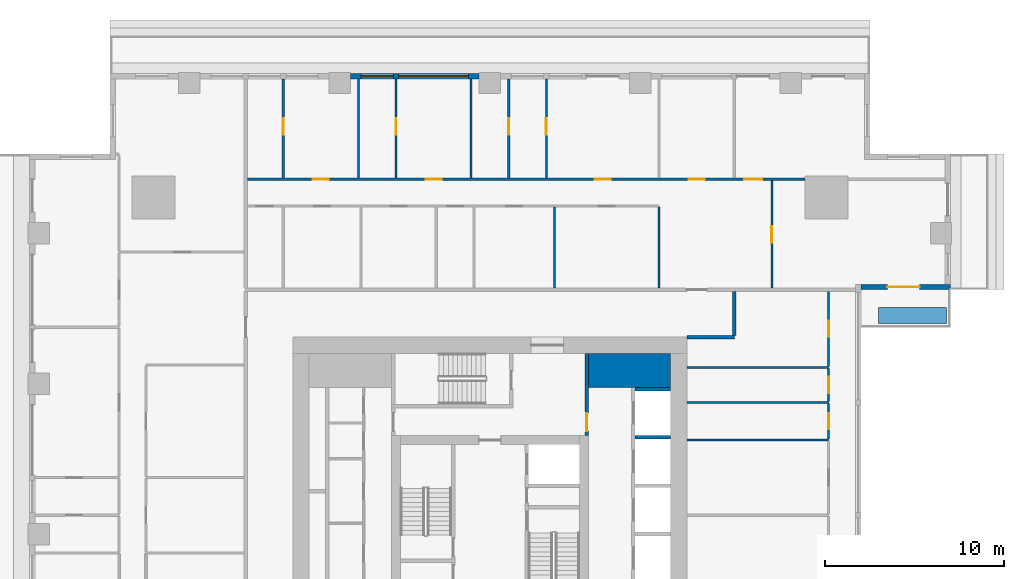
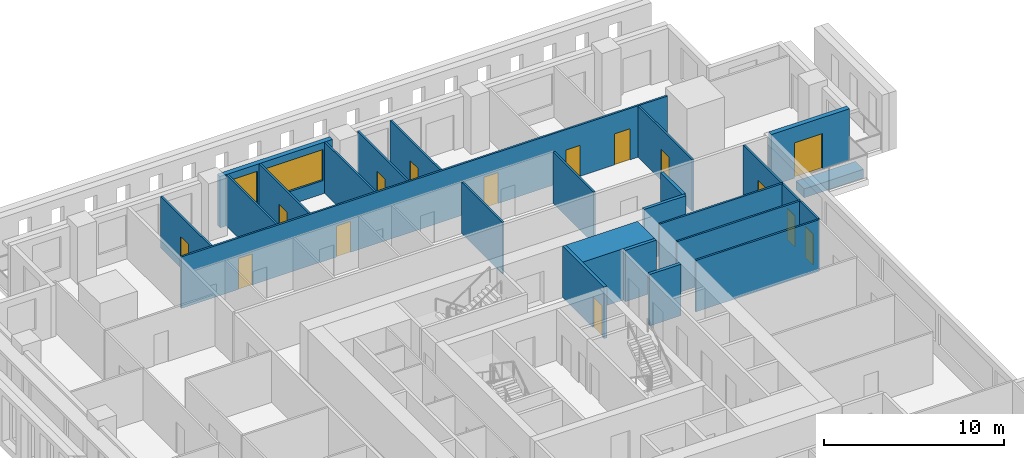
# One storey, part 8 of 15: 25 walls, 15 doors, 2 windows, 17 openings.
"""IFC4 building model written with IfcOpenShell, lengths in metres."""

from ifc_helpers import new_model, si_unit, direction, frame, frame_2d, origin, place, context, subcontext, project, spatial, rectangle, extrude, material, layer, layer_set, type_object, element, fill, save


model = new_model("IFC4")

# Units and contexts
model_context = context("Model", 3, precision=1e-05, world=origin(), true_north=direction((0.0, 1.0)))
body_context = subcontext(model_context, "Body", "Model", "MODEL_VIEW")
ifc_project = project(units=[si_unit("LENGTHUNIT", "METRE"), si_unit("AREAUNIT", "SQUARE_METRE"), si_unit("VOLUMEUNIT", "CUBIC_METRE"), si_unit("PLANEANGLEUNIT", "RADIAN"), si_unit("MASSUNIT", "GRAM", prefix="KILO")], contexts=[model_context])

# Site, building, storey
site_placement = place(None, origin())
site = spatial("IfcSite", under=ifc_project, at=site_placement, CompositionType="ELEMENT")
building_placement = place(site_placement, origin())
building = spatial("IfcBuilding", under=site, at=building_placement, Name="Khepri Terraces", CompositionType="ELEMENT")
storey_placement = place(building_placement, frame((0.0, 0.0, 227.39990234375)))
storey = spatial("IfcBuildingStorey", under=building, at=storey_placement, Name="L54", CompositionType="ELEMENT", Elevation=227.39990234375)

# Walls
ifc_material_1 = material(Name="Concrete C50/60", Category="concrete")
ifc_layer_1 = layer(ifc_material_1, 1.89990234375, Name="Concrete C50/60", Category="concrete")
ifc_layer_set_1 = layer_set([ifc_layer_1], Name="Concrete C50/60")
wall_type_1 = type_object("IfcWallType", Name="Core wall 1900 C50/60", PredefinedType="SHEAR", material=ifc_layer_set_1)
wall_1_placement = place(storey_placement, frame((5.5, 9.14990234375, 0.0), z_axis=(0.0, 0.0, 1.0), x_axis=(1.0, 0.0, 0.0)))
element("IfcWall", 1, at=wall_1_placement, inside=storey, type_object=wall_type_1, Name="Core wall PR04 L54", PredefinedType="SHEAR", context=body_context, shape_type="SweptSolid", body=[
    extrude(rectangle(XDim=4.60009765625, YDim=1.89990234375, at=frame_2d((2.300048828125, 0.0))), origin(), (0.0, 0.0, 1.0), 3.47998046875),
])
ifc_layer_2 = layer(ifc_material_1, 0.199951171875, Name="Concrete C50/60", Category="concrete")
ifc_layer_set_2 = layer_set([ifc_layer_2], Name="Concrete C50/60")
wall_type_2 = type_object("IfcWallType", Name="Core wall 200 C50/60", PredefinedType="SHEAR", material=ifc_layer_set_2)
for number, where, z_axis, x_axis, name in (
    (2, (8.10009765625, 5.39990234375, 0.0), (0.0, 0.0, 1.0), (1.0, 0.0, 0.0), "Core wall SH14 L54"),
    (3, (8.10009765625, 8.10009765625, 0.0), (0.0, 0.0, 1.0), (1.0, 0.0, 0.0), "Core wall SH15 L54"),
):
    element("IfcWall", number, at=place(storey_placement, frame(where, z_axis=z_axis, x_axis=x_axis)), inside=storey, type_object=wall_type_2, Name=name, PredefinedType="SHEAR", context=body_context, shape_type="SweptSolid", body=[
        extrude(rectangle(XDim=2.0, YDim=0.199951171875, at=frame_2d((1.0, 0.0))), origin(), (0.0, 0.0, 1.0), 3.47998046875),
    ])

# Wall, opening, door
ifc_material_2 = material(Name="Fire-rated gypsum board partition")
ifc_layer_3 = layer(ifc_material_2, 0.199951171875, Name="Fire-rated gypsum board partition")
ifc_layer_set_3 = layer_set([ifc_layer_3], Name="Fire-rated gypsum board partition")
wall_type_3 = type_object("IfcWallType", Name="WL-CORE-PART-200", PredefinedType="PARTITIONING", material=ifc_layer_set_3)
wall_2_placement = place(storey_placement, frame((5.39990234375, 5.5, 0.0), z_axis=(0.0, 0.0, 1.0), x_axis=(0.0, 1.0, 0.0)))
wall_2 = element("IfcWall", 4, at=wall_2_placement, inside=storey, type_object=wall_type_3, Name="Core partition PT13 L54", PredefinedType="PARTITIONING", context=body_context, shape_type="SweptSolid", body=[
    extrude(rectangle(XDim=4.60009765625, YDim=0.199951171875, at=frame_2d((2.300048828125, 0.0))), origin(), (0.0, 0.0, 1.0), 3.47998046875),
])
opening_1_placement = place(wall_2_placement, frame((0.25, 0.0, 0.0)))
opening_1 = element("IfcOpeningElement", 5, at=opening_1_placement, cuts=wall_2, Name="Opening L54-C17", PredefinedType="OPENING", context=body_context, shape_type="SweptSolid", body=[
    extrude(rectangle(XDim=1.0, YDim=2.10009765625, at=frame_2d((0.5, 1.050048828125))), frame((0.0, 0.10986328125, 0.0), z_axis=(0.0, -1.0, 0.0), x_axis=(1.0, 0.0, 0.0)), (0.0, 0.0, 1.0), 0.219970703125),
])
ifc_material_3 = material(Name="Painted steel", Category="steel")
door_type_1 = type_object("IfcDoorType", Name="DR-CORE-LOBBY-1000", OperationType="NOTDEFINED", PredefinedType="DOOR", material=ifc_material_3)
door_1_placement = place(opening_1_placement, origin())
door_1 = element("IfcDoor", 6, at=door_1_placement, inside=storey, type_object=door_type_1, Name="Lobby door L54-C17", OperationType="SINGLE_SWING_LEFT", OverallHeight=2.10009765625, OverallWidth=1.0, PredefinedType="DOOR", context=body_context, shape_type="SweptSolid", body=[
    extrude(rectangle(XDim=1.0, YDim=2.10009765625, at=frame_2d((0.5, 1.050048828125))), frame((0.0, 0.02490234375, 0.0), z_axis=(0.0, -1.0, 0.0), x_axis=(1.0, 0.0, 0.0)), (0.0, 0.0, 1.0), 0.050048828125),
])
fill(opening_1, door_1)

# Walls
ifc_material_4 = material(Name="Fire-rated gypsum plasterboard partition, mineral wool")
ifc_layer_4 = layer(ifc_material_4, 0.199951171875, Name="Fire-rated gypsum plasterboard partition, mineral wool")
ifc_layer_set_4 = layer_set([ifc_layer_4], Name="Fire-rated gypsum plasterboard partition, mineral wool")
wall_type_4 = type_object("IfcWallType", Name="WL-CORR-200", PredefinedType="PARTITIONING", material=ifc_layer_set_4)
wall_3_placement = place(storey_placement, frame((11.0, 11.0, 0.0), z_axis=(0.0, 0.0, 1.0), x_axis=(1.0, 0.0, 0.0)))
element("IfcWall", 7, at=wall_3_placement, inside=storey, type_object=wall_type_4, Name="Partition P-065 L54", PredefinedType="PARTITIONING", context=body_context, shape_type="SweptSolid", body=[
    extrude(rectangle(XDim=2.64990234375, YDim=0.199951171875, at=frame_2d((1.324951171875, 0.0))), origin(), (0.0, 0.0, 1.0), 3.47998046875),
])
wall_4_placement = place(storey_placement, frame((13.64990234375, 11.10009765625, 0.0), z_axis=(0.0, 0.0, 1.0), x_axis=(0.0, 1.0, 0.0)))
element("IfcWall", 8, at=wall_4_placement, inside=storey, type_object=wall_type_4, Name="Partition P-066 L54", PredefinedType="PARTITIONING", context=body_context, shape_type="SweptSolid", body=[
    extrude(rectangle(XDim=2.449951171875, YDim=0.199951171875, at=frame_2d((1.22509765625, 0.0))), origin(), (0.0, 0.0, 1.0), 3.47998046875),
])

# Wall, opening, door
ifc_material_5 = material(Name="Precast concrete C50/60 warm stone", Category="masonry")
ifc_layer_5 = layer(ifc_material_5, 0.300048828125, Name="Precast concrete C50/60 warm stone", Category="masonry")
ifc_layer_set_5 = layer_set([ifc_layer_5], Name="Precast concrete C50/60 warm stone")
wall_type_5 = type_object("IfcWallType", Name="WL-EXT-PRECAST-300", PredefinedType="STANDARD", material=ifc_layer_set_5)
wall_5_placement = place(storey_placement, frame((20.719970703125, 13.800048828125, 0.0), z_axis=(0.0, 0.0, 1.0), x_axis=(1.0, 0.0, 0.0)))
wall_5 = element("IfcWall", 9, at=wall_5_placement, inside=storey, type_object=wall_type_5, Name="External wall L54 S", PredefinedType="STANDARD", context=body_context, shape_type="SweptSolid", body=[
    extrude(rectangle(XDim=5.0, YDim=0.300048828125, at=frame_2d((2.5, 0.0))), origin(), (0.0, 0.0, 1.0), 3.47998046875),
])
opening_2_placement = place(wall_5_placement, frame((1.47998046875, 0.0, 0.0)))
opening_2 = element("IfcOpeningElement", 10, at=opening_2_placement, cuts=wall_5, Name="Opening ED-L54-04", PredefinedType="OPENING", context=body_context, shape_type="SweptSolid", body=[
    extrude(rectangle(XDim=1.800048828125, YDim=2.39990234375, at=frame_2d((0.89990234375, 1.199951171875))), frame((0.0, 0.16015625, 0.0), z_axis=(0.0, -1.0, 0.0), x_axis=(1.0, 0.0, 0.0)), (0.0, 0.0, 1.0), 0.320068359375),
])
ifc_material_6 = material(Name="Anodised aluminium bronze glazed door", Category="aluminium")
door_type_2 = type_object("IfcDoorType", Name="DR-BAL-SLIDE-1800x2400", OperationType="NOTDEFINED", PredefinedType="DOOR", material=ifc_material_6)
door_2_placement = place(opening_2_placement, origin())
door_2 = element("IfcDoor", 11, at=door_2_placement, inside=storey, type_object=door_type_2, Name="Balcony door L54 S", OperationType="SLIDING_TO_RIGHT", OverallHeight=2.39990234375, OverallWidth=1.800048828125, PredefinedType="DOOR", context=body_context, shape_type="SweptSolid", body=[
    extrude(rectangle(XDim=1.800048828125, YDim=2.39990234375, at=frame_2d((0.89990234375, 1.199951171875))), frame((0.0, 0.02490234375, 0.0), z_axis=(0.0, -1.0, 0.0), x_axis=(1.0, 0.0, 0.0)), (0.0, 0.0, 1.0), 0.050048828125),
])
fill(opening_2, door_2)

# Wall, openings, windows
wall_6_placement = place(storey_placement, frame((-0.60009765625, 25.570068359375, 0.0), z_axis=(0.0, 0.0, 1.0), x_axis=(-1.0, 0.0, 0.0)))
wall_6 = element("IfcWall", 12, at=wall_6_placement, inside=storey, type_object=wall_type_5, Name="External wall L54 N", PredefinedType="STANDARD", context=body_context, shape_type="SweptSolid", body=[
    extrude(rectangle(XDim=7.199951171875, YDim=0.300048828125, at=frame_2d((3.60009765625, 0.0))), origin(), (0.0, 0.0, 1.0), 3.47998046875),
])
opening_3_placement = place(wall_6_placement, frame((0.60009765625, 0.0, 0.89990234375)))
opening_3 = element("IfcOpeningElement", 13, at=opening_3_placement, cuts=wall_6, Name="Opening W2", PredefinedType="OPENING", context=body_context, shape_type="SweptSolid", body=[
    extrude(rectangle(XDim=3.89990234375, YDim=2.10009765625, at=frame_2d((1.949951171875, 1.050048828125))), frame((0.0, 0.16015625, 0.0), z_axis=(0.0, -1.0, 0.0), x_axis=(1.0, 0.0, 0.0)), (0.0, 0.0, 1.0), 0.320068359375),
])
opening_4_placement = place(wall_6_placement, frame((4.800048828125, 0.0, 0.89990234375)))
opening_4 = element("IfcOpeningElement", 14, at=opening_4_placement, cuts=wall_6, Name="Opening W1", PredefinedType="OPENING", context=body_context, shape_type="SweptSolid", body=[
    extrude(rectangle(XDim=1.800048828125, YDim=2.10009765625, at=frame_2d((0.89990234375, 1.050048828125))), frame((0.0, 0.16015625, 0.0), z_axis=(0.0, -1.0, 0.0), x_axis=(1.0, 0.0, 0.0)), (0.0, 0.0, 1.0), 0.320068359375),
])
ifc_material_7 = material(Name="Clear glass", Category="glass")
window_type_1 = type_object("IfcWindowType", Name="WIN-RES-1800x2100", PartitioningType="SINGLE_PANEL", PredefinedType="WINDOW", material=ifc_material_7)
window_1_placement = place(opening_4_placement, origin())
window_1 = element("IfcWindow", 15, at=window_1_placement, inside=storey, type_object=window_type_1, Name="Window L54 N", OverallHeight=2.10009765625, OverallWidth=1.800048828125, PartitioningType="SINGLE_PANEL", PredefinedType="WINDOW", context=body_context, shape_type="SweptSolid", body=[
    extrude(rectangle(XDim=1.800048828125, YDim=2.10009765625, at=frame_2d((0.89990234375, 1.050048828125))), frame((0.0, 0.030029296875, 0.0), z_axis=(0.0, -1.0, 0.0), x_axis=(1.0, 0.0, 0.0)), (0.0, 0.0, 1.0), 0.06005859375),
])
fill(opening_4, window_1)
window_type_2 = type_object("IfcWindowType", Name="WIN-RES-3900x2100", PartitioningType="SINGLE_PANEL", PredefinedType="WINDOW", material=ifc_material_7)
window_2_placement = place(opening_3_placement, origin())
window_2 = element("IfcWindow", 16, at=window_2_placement, inside=storey, type_object=window_type_2, Name="Window L54 N", OverallHeight=2.10009765625, OverallWidth=3.89990234375, PartitioningType="SINGLE_PANEL", PredefinedType="WINDOW", context=body_context, shape_type="SweptSolid", body=[
    extrude(rectangle(XDim=3.89990234375, YDim=2.10009765625, at=frame_2d((1.949951171875, 1.050048828125))), frame((0.0, 0.030029296875, 0.0), z_axis=(0.0, -1.0, 0.0), x_axis=(1.0, 0.0, 0.0)), (0.0, 0.0, 1.0), 0.06005859375),
])
fill(opening_3, window_2)

# Wall
ifc_material_8 = material(Name="Gypsum plasterboard partition")
ifc_layer_6 = layer(ifc_material_8, 0.1201171875, Name="Gypsum plasterboard partition")
ifc_layer_set_6 = layer_set([ifc_layer_6], Name="Gypsum plasterboard partition")
wall_type_6 = type_object("IfcWallType", Name="WL-PART-120", PredefinedType="PARTITIONING", material=ifc_layer_set_6)
wall_7_placement = place(storey_placement, frame((11.0, 5.25, 0.0), z_axis=(0.0, 0.0, 1.0), x_axis=(1.0, 0.0, 0.0)))
element("IfcWall", 17, at=wall_7_placement, inside=storey, type_object=wall_type_6, Name="Partition P-058 L54", PredefinedType="PARTITIONING", context=body_context, shape_type="SweptSolid", body=[
    extrude(rectangle(XDim=7.919921875, YDim=0.1201171875, at=frame_2d((3.9599609375, 0.0))), origin(), (0.0, 0.0, 1.0), 3.47998046875),
])

# Wall, opening, door
wall_8_placement = place(storey_placement, frame((18.919921875, 5.31005859375, 0.0), z_axis=(0.0, 0.0, 1.0), x_axis=(0.0, 1.0, 0.0)))
wall_8 = element("IfcWall", 18, at=wall_8_placement, inside=storey, type_object=wall_type_6, Name="Partition P-059 L54", PredefinedType="PARTITIONING", context=body_context, shape_type="SweptSolid", body=[
    extrude(rectangle(XDim=1.97998046875, YDim=0.1201171875, at=frame_2d((0.989990234375, 0.0))), origin(), (0.0, 0.0, 1.0), 3.47998046875),
])
opening_5_placement = place(wall_8_placement, frame((0.5400390625, 0.0, 0.0)))
opening_5 = element("IfcOpeningElement", 19, at=opening_5_placement, cuts=wall_8, Name="Opening D4", PredefinedType="OPENING", context=body_context, shape_type="SweptSolid", body=[
    extrude(rectangle(XDim=0.89990234375, YDim=2.10009765625, at=frame_2d((0.449951171875, 1.050048828125))), frame((0.0, 0.070068359375, 0.0), z_axis=(0.0, -1.0, 0.0), x_axis=(1.0, 0.0, 0.0)), (0.0, 0.0, 1.0), 0.14013671875),
])
ifc_material_9 = material(Name="Timber door leaf, moisture resistant", Category="wood")
door_type_3 = type_object("IfcDoorType", Name="DR-WET-900", OperationType="NOTDEFINED", PredefinedType="DOOR", material=ifc_material_9)
door_3_placement = place(opening_5_placement, origin())
door_3 = element("IfcDoor", 20, at=door_3_placement, inside=storey, type_object=door_type_3, Name="Door Powder Room", OperationType="SINGLE_SWING_RIGHT", OverallHeight=2.10009765625, OverallWidth=0.89990234375, PredefinedType="DOOR", context=body_context, shape_type="SweptSolid", body=[
    extrude(rectangle(XDim=0.89990234375, YDim=2.10009765625, at=frame_2d((0.449951171875, 1.050048828125))), frame((0.0, 0.02490234375, 0.0), z_axis=(0.0, -1.0, 0.0), x_axis=(1.0, 0.0, 0.0)), (0.0, 0.0, 1.0), 0.050048828125),
])
fill(opening_5, door_3)

# Wall
wall_9_placement = place(storey_placement, frame((11.0, 7.35009765625, 0.0), z_axis=(0.0, 0.0, 1.0), x_axis=(1.0, 0.0, 0.0)))
element("IfcWall", 21, at=wall_9_placement, inside=storey, type_object=wall_type_6, Name="Partition P-060 L54", PredefinedType="PARTITIONING", context=body_context, shape_type="SweptSolid", body=[
    extrude(rectangle(XDim=7.919921875, YDim=0.1201171875, at=frame_2d((3.9599609375, 0.0))), origin(), (0.0, 0.0, 1.0), 3.47998046875),
])

# Wall, opening, door
wall_10_placement = place(storey_placement, frame((18.919921875, 7.409912109375, 0.0), z_axis=(0.0, 0.0, 1.0), x_axis=(0.0, 1.0, 0.0)))
wall_10 = element("IfcWall", 22, at=wall_10_placement, inside=storey, type_object=wall_type_6, Name="Partition P-061 L54", PredefinedType="PARTITIONING", context=body_context, shape_type="SweptSolid", body=[
    extrude(rectangle(XDim=1.830078125, YDim=0.1201171875, at=frame_2d((0.9150390625, 0.0))), origin(), (0.0, 0.0, 1.0), 3.47998046875),
])
opening_6_placement = place(wall_10_placement, frame((0.465087890625, 0.0, 0.0)))
opening_6 = element("IfcOpeningElement", 23, at=opening_6_placement, cuts=wall_10, Name="Opening D4", PredefinedType="OPENING", context=body_context, shape_type="SweptSolid", body=[
    extrude(rectangle(XDim=0.89990234375, YDim=2.10009765625, at=frame_2d((0.449951171875, 1.050048828125))), frame((0.0, 0.070068359375, 0.0), z_axis=(0.0, -1.0, 0.0), x_axis=(1.0, 0.0, 0.0)), (0.0, 0.0, 1.0), 0.14013671875),
])
door_4_placement = place(opening_6_placement, origin())
door_4 = element("IfcDoor", 24, at=door_4_placement, inside=storey, type_object=door_type_3, Name="Door Guest Bathroom", OperationType="SINGLE_SWING_LEFT", OverallHeight=2.10009765625, OverallWidth=0.89990234375, PredefinedType="DOOR", context=body_context, shape_type="SweptSolid", body=[
    extrude(rectangle(XDim=0.89990234375, YDim=2.10009765625, at=frame_2d((0.449951171875, 1.050048828125))), frame((0.0, 0.02490234375, 0.0), z_axis=(0.0, -1.0, 0.0), x_axis=(1.0, 0.0, 0.0)), (0.0, 0.0, 1.0), 0.050048828125),
])
fill(opening_6, door_4)

# Wall
wall_11_placement = place(storey_placement, frame((11.0, 9.300048828125, 0.0), z_axis=(0.0, 0.0, 1.0), x_axis=(1.0, 0.0, 0.0)))
element("IfcWall", 25, at=wall_11_placement, inside=storey, type_object=wall_type_6, Name="Partition P-062 L54", PredefinedType="PARTITIONING", context=body_context, shape_type="SweptSolid", body=[
    extrude(rectangle(XDim=7.919921875, YDim=0.1201171875, at=frame_2d((3.9599609375, 0.0))), origin(), (0.0, 0.0, 1.0), 3.47998046875),
])

# Wall, opening, door
wall_12_placement = place(storey_placement, frame((18.919921875, 9.360107421875, 0.0), z_axis=(0.0, 0.0, 1.0), x_axis=(0.0, 1.0, 0.0)))
wall_12 = element("IfcWall", 26, at=wall_12_placement, inside=storey, type_object=wall_type_6, Name="Partition P-063 L54", PredefinedType="PARTITIONING", context=body_context, shape_type="SweptSolid", body=[
    extrude(rectangle(XDim=4.18994140625, YDim=0.1201171875, at=frame_2d((2.094970703125, 0.0))), origin(), (0.0, 0.0, 1.0), 3.47998046875),
])
opening_7_placement = place(wall_12_placement, frame((1.6650390625, 0.0, 0.0)))
opening_7 = element("IfcOpeningElement", 27, at=opening_7_placement, cuts=wall_12, Name="Opening D3", PredefinedType="OPENING", context=body_context, shape_type="SweptSolid", body=[
    extrude(rectangle(XDim=0.89990234375, YDim=2.10009765625, at=frame_2d((0.449951171875, 1.050048828125))), frame((0.0, 0.070068359375, 0.0), z_axis=(0.0, -1.0, 0.0), x_axis=(1.0, 0.0, 0.0)), (0.0, 0.0, 1.0), 0.14013671875),
])
ifc_material_10 = material(Name="Timber door leaf", Category="wood")
door_type_4 = type_object("IfcDoorType", Name="DR-INT-900", OperationType="NOTDEFINED", PredefinedType="DOOR", material=ifc_material_10)
door_5_placement = place(opening_7_placement, origin())
door_5 = element("IfcDoor", 28, at=door_5_placement, inside=storey, type_object=door_type_4, Name="Door Staff Bedroom", OperationType="SINGLE_SWING_RIGHT", OverallHeight=2.10009765625, OverallWidth=0.89990234375, PredefinedType="DOOR", context=body_context, shape_type="SweptSolid", body=[
    extrude(rectangle(XDim=0.89990234375, YDim=2.10009765625, at=frame_2d((0.449951171875, 1.050048828125))), frame((0.0, 0.02490234375, 0.0), z_axis=(0.0, -1.0, 0.0), x_axis=(1.0, 0.0, 0.0)), (0.0, 0.0, 1.0), 0.050048828125),
])
fill(opening_7, door_5)

# Walls
for number, where, z_axis, x_axis, name in (
    (29, (3.60009765625, 13.75, 0.0), (0.0, 0.0, 1.0), (0.0, 1.0, 0.0), "Partition P-075 L54"),
    (30, (9.449951171875, 13.75, 0.0), (0.0, 0.0, 1.0), (0.0, 1.0, 0.0), "Partition P-076 L54"),
):
    element("IfcWall", number, at=place(storey_placement, frame(where, z_axis=z_axis, x_axis=x_axis)), inside=storey, type_object=wall_type_6, Name=name, PredefinedType="PARTITIONING", context=body_context, shape_type="SweptSolid", body=[
        extrude(rectangle(XDim=4.510009765625, YDim=0.1201171875, at=frame_2d((2.2548828125, 0.0))), origin(), (0.0, 0.0, 1.0), 3.47998046875),
    ])

# Wall, opening, door
wall_13_placement = place(storey_placement, frame((15.75, 13.75, 0.0), z_axis=(0.0, 0.0, 1.0), x_axis=(0.0, 1.0, 0.0)))
wall_13 = element("IfcWall", 31, at=wall_13_placement, inside=storey, type_object=wall_type_6, Name="Partition P-077 L54", PredefinedType="PARTITIONING", context=body_context, shape_type="SweptSolid", body=[
    extrude(rectangle(XDim=6.010009765625, YDim=0.1201171875, at=frame_2d((3.0048828125, 0.0))), origin(), (0.0, 0.0, 1.0), 3.47998046875),
])
opening_8_placement = place(wall_13_placement, frame((2.534912109375, 0.0, 0.0)))
opening_8 = element("IfcOpeningElement", 32, at=opening_8_placement, cuts=wall_13, Name="Opening D3", PredefinedType="OPENING", context=body_context, shape_type="SweptSolid", body=[
    extrude(rectangle(XDim=0.89990234375, YDim=2.10009765625, at=frame_2d((0.449951171875, 1.050048828125))), frame((0.0, 0.070068359375, 0.0), z_axis=(0.0, -1.0, 0.0), x_axis=(1.0, 0.0, 0.0)), (0.0, 0.0, 1.0), 0.14013671875),
])
door_6_placement = place(opening_8_placement, frame((0.89990234375, 0.0, 0.0), z_axis=(0.0, 0.0, 1.0), x_axis=(-1.0, 0.0, 0.0)))
door_6 = element("IfcDoor", 33, at=door_6_placement, inside=storey, type_object=door_type_4, Name="Door Library", OperationType="SINGLE_SWING_RIGHT", OverallHeight=2.10009765625, OverallWidth=0.89990234375, PredefinedType="DOOR", context=body_context, shape_type="SweptSolid", body=[
    extrude(rectangle(XDim=0.89990234375, YDim=2.10009765625, at=frame_2d((0.449951171875, 1.050048828125))), frame((0.0, 0.02490234375, 0.0), z_axis=(0.0, -1.0, 0.0), x_axis=(1.0, 0.0, 0.0)), (0.0, 0.0, 1.0), 0.050048828125),
])
fill(opening_8, door_6)

# Wall, openings, doors
wall_14_placement = place(storey_placement, frame((-13.550048828125, 19.820068359375, 0.0), z_axis=(0.0, 0.0, 1.0), x_axis=(1.0, 0.0, 0.0)))
wall_14 = element("IfcWall", 34, at=wall_14_placement, inside=storey, type_object=wall_type_6, Name="Partition P-081 L54", PredefinedType="PARTITIONING", context=body_context, shape_type="SweptSolid", body=[
    extrude(rectangle(XDim=31.150146484375, YDim=0.1201171875, at=frame_2d((15.5751953125, 0.0))), origin(), (0.0, 0.0, 1.0), 3.47998046875),
])
opening_9_placement = place(wall_14_placement, frame((27.75, 0.0, 0.0)))
opening_9 = element("IfcOpeningElement", 35, at=opening_9_placement, cuts=wall_14, Name="Opening D2", PredefinedType="OPENING", context=body_context, shape_type="SweptSolid", body=[
    extrude(rectangle(XDim=1.0, YDim=2.10009765625, at=frame_2d((0.5, 1.050048828125))), frame((0.0, 0.070068359375, 0.0), z_axis=(0.0, -1.0, 0.0), x_axis=(1.0, 0.0, 0.0)), (0.0, 0.0, 1.0), 0.14013671875),
])
opening_10_placement = place(wall_14_placement, frame((24.64990234375, 0.0, 0.0)))
opening_10 = element("IfcOpeningElement", 36, at=opening_10_placement, cuts=wall_14, Name="Opening D3", PredefinedType="OPENING", context=body_context, shape_type="SweptSolid", body=[
    extrude(rectangle(XDim=0.89990234375, YDim=2.10009765625, at=frame_2d((0.449951171875, 1.050048828125))), frame((0.0, 0.070068359375, 0.0), z_axis=(0.0, -1.0, 0.0), x_axis=(1.0, 0.0, 0.0)), (0.0, 0.0, 1.0), 0.14013671875),
])
opening_11_placement = place(wall_14_placement, frame((19.39990234375, 0.0, 0.0)))
opening_11 = element("IfcOpeningElement", 37, at=opening_11_placement, cuts=wall_14, Name="Opening D3", PredefinedType="OPENING", context=body_context, shape_type="SweptSolid", body=[
    extrude(rectangle(XDim=0.89990234375, YDim=2.10009765625, at=frame_2d((0.449951171875, 1.050048828125))), frame((0.0, 0.070068359375, 0.0), z_axis=(0.0, -1.0, 0.0), x_axis=(1.0, 0.0, 0.0)), (0.0, 0.0, 1.0), 0.14013671875),
])
opening_12_placement = place(wall_14_placement, frame((9.949951171875, 0.0, 0.0)))
opening_12 = element("IfcOpeningElement", 38, at=opening_12_placement, cuts=wall_14, Name="Opening D3", PredefinedType="OPENING", context=body_context, shape_type="SweptSolid", body=[
    extrude(rectangle(XDim=0.89990234375, YDim=2.10009765625, at=frame_2d((0.449951171875, 1.050048828125))), frame((0.0, 0.070068359375, 0.0), z_axis=(0.0, -1.0, 0.0), x_axis=(1.0, 0.0, 0.0)), (0.0, 0.0, 1.0), 0.14013671875),
])
opening_13_placement = place(wall_14_placement, frame((3.64990234375, 0.0, 0.0)))
opening_13 = element("IfcOpeningElement", 39, at=opening_13_placement, cuts=wall_14, Name="Opening D3", PredefinedType="OPENING", context=body_context, shape_type="SweptSolid", body=[
    extrude(rectangle(XDim=0.89990234375, YDim=2.10009765625, at=frame_2d((0.449951171875, 1.050048828125))), frame((0.0, 0.070068359375, 0.0), z_axis=(0.0, -1.0, 0.0), x_axis=(1.0, 0.0, 0.0)), (0.0, 0.0, 1.0), 0.14013671875),
])
ifc_material_11 = material(Name="Timber door leaf, living room door", Category="wood")
door_type_5 = type_object("IfcDoorType", Name="DR-INT-1000", OperationType="NOTDEFINED", PredefinedType="DOOR", material=ifc_material_11)
door_7_placement = place(opening_9_placement, origin())
door_7 = element("IfcDoor", 40, at=door_7_placement, inside=storey, type_object=door_type_5, Name="Door Living Room", OperationType="SINGLE_SWING_RIGHT", OverallHeight=2.10009765625, OverallWidth=1.0, PredefinedType="DOOR", context=body_context, shape_type="SweptSolid", body=[
    extrude(rectangle(XDim=1.0, YDim=2.10009765625, at=frame_2d((0.5, 1.050048828125))), frame((0.0, 0.02490234375, 0.0), z_axis=(0.0, -1.0, 0.0), x_axis=(1.0, 0.0, 0.0)), (0.0, 0.0, 1.0), 0.050048828125),
])
fill(opening_9, door_7)
door_8_placement = place(opening_10_placement, origin())
door_8 = element("IfcDoor", 41, at=door_8_placement, inside=storey, type_object=door_type_4, Name="Door Study", OperationType="SINGLE_SWING_RIGHT", OverallHeight=2.10009765625, OverallWidth=0.89990234375, PredefinedType="DOOR", context=body_context, shape_type="SweptSolid", body=[
    extrude(rectangle(XDim=0.89990234375, YDim=2.10009765625, at=frame_2d((0.449951171875, 1.050048828125))), frame((0.0, 0.02490234375, 0.0), z_axis=(0.0, -1.0, 0.0), x_axis=(1.0, 0.0, 0.0)), (0.0, 0.0, 1.0), 0.050048828125),
])
fill(opening_10, door_8)
door_9_placement = place(opening_11_placement, origin())
door_9 = element("IfcDoor", 42, at=door_9_placement, inside=storey, type_object=door_type_4, Name="Door Master Bedroom", OperationType="SINGLE_SWING_RIGHT", OverallHeight=2.10009765625, OverallWidth=0.89990234375, PredefinedType="DOOR", context=body_context, shape_type="SweptSolid", body=[
    extrude(rectangle(XDim=0.89990234375, YDim=2.10009765625, at=frame_2d((0.449951171875, 1.050048828125))), frame((0.0, 0.02490234375, 0.0), z_axis=(0.0, -1.0, 0.0), x_axis=(1.0, 0.0, 0.0)), (0.0, 0.0, 1.0), 0.050048828125),
])
fill(opening_11, door_9)
door_10_placement = place(opening_12_placement, origin())
door_10 = element("IfcDoor", 43, at=door_10_placement, inside=storey, type_object=door_type_4, Name="Door Bedroom", OperationType="SINGLE_SWING_LEFT", OverallHeight=2.10009765625, OverallWidth=0.89990234375, PredefinedType="DOOR", context=body_context, shape_type="SweptSolid", body=[
    extrude(rectangle(XDim=0.89990234375, YDim=2.10009765625, at=frame_2d((0.449951171875, 1.050048828125))), frame((0.0, 0.02490234375, 0.0), z_axis=(0.0, -1.0, 0.0), x_axis=(1.0, 0.0, 0.0)), (0.0, 0.0, 1.0), 0.050048828125),
])
fill(opening_12, door_10)
door_11_placement = place(opening_13_placement, origin())
door_11 = element("IfcDoor", 44, at=door_11_placement, inside=storey, type_object=door_type_4, Name="Door Bedroom", OperationType="SINGLE_SWING_LEFT", OverallHeight=2.10009765625, OverallWidth=0.89990234375, PredefinedType="DOOR", context=body_context, shape_type="SweptSolid", body=[
    extrude(rectangle(XDim=0.89990234375, YDim=2.10009765625, at=frame_2d((0.449951171875, 1.050048828125))), frame((0.0, 0.02490234375, 0.0), z_axis=(0.0, -1.0, 0.0), x_axis=(1.0, 0.0, 0.0)), (0.0, 0.0, 1.0), 0.050048828125),
])
fill(opening_13, door_11)

# Wall, opening, door
wall_15_placement = place(storey_placement, frame((-11.550048828125, 19.8798828125, 0.0), z_axis=(0.0, 0.0, 1.0), x_axis=(0.0, 1.0, 0.0)))
wall_15 = element("IfcWall", 45, at=wall_15_placement, inside=storey, type_object=wall_type_6, Name="Partition P-083 L54", PredefinedType="PARTITIONING", context=body_context, shape_type="SweptSolid", body=[
    extrude(rectangle(XDim=5.5400390625, YDim=0.1201171875, at=frame_2d((2.77001953125, 0.0))), origin(), (0.0, 0.0, 1.0), 3.47998046875),
])
opening_14_placement = place(wall_15_placement, frame((2.43994140625, 0.0, 0.0)))
opening_14 = element("IfcOpeningElement", 46, at=opening_14_placement, cuts=wall_15, Name="Opening D4", PredefinedType="OPENING", context=body_context, shape_type="SweptSolid", body=[
    extrude(rectangle(XDim=0.89990234375, YDim=2.10009765625, at=frame_2d((0.449951171875, 1.050048828125))), frame((0.0, 0.070068359375, 0.0), z_axis=(0.0, -1.0, 0.0), x_axis=(1.0, 0.0, 0.0)), (0.0, 0.0, 1.0), 0.14013671875),
])
door_12_placement = place(opening_14_placement, origin())
door_12 = element("IfcDoor", 47, at=door_12_placement, inside=storey, type_object=door_type_3, Name="Door Bathroom", OperationType="SINGLE_SWING_RIGHT", OverallHeight=2.10009765625, OverallWidth=0.89990234375, PredefinedType="DOOR", context=body_context, shape_type="SweptSolid", body=[
    extrude(rectangle(XDim=0.89990234375, YDim=2.10009765625, at=frame_2d((0.449951171875, 1.050048828125))), frame((0.0, 0.02490234375, 0.0), z_axis=(0.0, -1.0, 0.0), x_axis=(1.0, 0.0, 0.0)), (0.0, 0.0, 1.0), 0.050048828125),
])
fill(opening_14, door_12)

# Wall
wall_16_placement = place(storey_placement, frame((-7.35009765625, 19.8798828125, 0.0), z_axis=(0.0, 0.0, 1.0), x_axis=(0.0, 1.0, 0.0)))
element("IfcWall", 48, at=wall_16_placement, inside=storey, type_object=wall_type_6, Name="Partition P-084 L54", PredefinedType="PARTITIONING", context=body_context, shape_type="SweptSolid", body=[
    extrude(rectangle(XDim=5.5400390625, YDim=0.1201171875, at=frame_2d((2.77001953125, 0.0))), origin(), (0.0, 0.0, 1.0), 3.47998046875),
])

# Wall, opening, door
wall_17_placement = place(storey_placement, frame((-5.25, 19.8798828125, 0.0), z_axis=(0.0, 0.0, 1.0), x_axis=(0.0, 1.0, 0.0)))
wall_17 = element("IfcWall", 49, at=wall_17_placement, inside=storey, type_object=wall_type_6, Name="Partition P-085 L54", PredefinedType="PARTITIONING", context=body_context, shape_type="SweptSolid", body=[
    extrude(rectangle(XDim=5.5400390625, YDim=0.1201171875, at=frame_2d((2.77001953125, 0.0))), origin(), (0.0, 0.0, 1.0), 3.47998046875),
])
opening_15_placement = place(wall_17_placement, frame((2.43994140625, 0.0, 0.0)))
opening_15 = element("IfcOpeningElement", 50, at=opening_15_placement, cuts=wall_17, Name="Opening D4", PredefinedType="OPENING", context=body_context, shape_type="SweptSolid", body=[
    extrude(rectangle(XDim=0.89990234375, YDim=2.10009765625, at=frame_2d((0.449951171875, 1.050048828125))), frame((0.0, 0.070068359375, 0.0), z_axis=(0.0, -1.0, 0.0), x_axis=(1.0, 0.0, 0.0)), (0.0, 0.0, 1.0), 0.14013671875),
])
door_13_placement = place(opening_15_placement, origin())
door_13 = element("IfcDoor", 51, at=door_13_placement, inside=storey, type_object=door_type_3, Name="Door Bathroom", OperationType="SINGLE_SWING_RIGHT", OverallHeight=2.10009765625, OverallWidth=0.89990234375, PredefinedType="DOOR", context=body_context, shape_type="SweptSolid", body=[
    extrude(rectangle(XDim=0.89990234375, YDim=2.10009765625, at=frame_2d((0.449951171875, 1.050048828125))), frame((0.0, 0.02490234375, 0.0), z_axis=(0.0, -1.0, 0.0), x_axis=(1.0, 0.0, 0.0)), (0.0, 0.0, 1.0), 0.050048828125),
])
fill(opening_15, door_13)

# Wall
wall_18_placement = place(storey_placement, frame((-1.050048828125, 19.8798828125, 0.0), z_axis=(0.0, 0.0, 1.0), x_axis=(0.0, 1.0, 0.0)))
element("IfcWall", 52, at=wall_18_placement, inside=storey, type_object=wall_type_6, Name="Partition P-086 L54", PredefinedType="PARTITIONING", context=body_context, shape_type="SweptSolid", body=[
    extrude(rectangle(XDim=5.5400390625, YDim=0.1201171875, at=frame_2d((2.77001953125, 0.0))), origin(), (0.0, 0.0, 1.0), 3.47998046875),
])

# Wall, opening, door
wall_19_placement = place(storey_placement, frame((1.050048828125, 19.8798828125, 0.0), z_axis=(0.0, 0.0, 1.0), x_axis=(0.0, 1.0, 0.0)))
wall_19 = element("IfcWall", 53, at=wall_19_placement, inside=storey, type_object=wall_type_6, Name="Partition P-087 L54", PredefinedType="PARTITIONING", context=body_context, shape_type="SweptSolid", body=[
    extrude(rectangle(XDim=5.5400390625, YDim=0.1201171875, at=frame_2d((2.77001953125, 0.0))), origin(), (0.0, 0.0, 1.0), 3.47998046875),
])
opening_16_placement = place(wall_19_placement, frame((2.43994140625, 0.0, 0.0)))
opening_16 = element("IfcOpeningElement", 54, at=opening_16_placement, cuts=wall_19, Name="Opening D4", PredefinedType="OPENING", context=body_context, shape_type="SweptSolid", body=[
    extrude(rectangle(XDim=0.89990234375, YDim=2.10009765625, at=frame_2d((0.449951171875, 1.050048828125))), frame((0.0, 0.070068359375, 0.0), z_axis=(0.0, -1.0, 0.0), x_axis=(1.0, 0.0, 0.0)), (0.0, 0.0, 1.0), 0.14013671875),
])
door_14_placement = place(opening_16_placement, origin())
door_14 = element("IfcDoor", 55, at=door_14_placement, inside=storey, type_object=door_type_3, Name="Door Bathroom", OperationType="SINGLE_SWING_RIGHT", OverallHeight=2.10009765625, OverallWidth=0.89990234375, PredefinedType="DOOR", context=body_context, shape_type="SweptSolid", body=[
    extrude(rectangle(XDim=0.89990234375, YDim=2.10009765625, at=frame_2d((0.449951171875, 1.050048828125))), frame((0.0, 0.02490234375, 0.0), z_axis=(0.0, -1.0, 0.0), x_axis=(1.0, 0.0, 0.0)), (0.0, 0.0, 1.0), 0.050048828125),
])
fill(opening_16, door_14)

wall_20_placement = place(storey_placement, frame((3.14990234375, 19.8798828125, 0.0), z_axis=(0.0, 0.0, 1.0), x_axis=(0.0, 1.0, 0.0)))
wall_20 = element("IfcWall", 56, at=wall_20_placement, inside=storey, type_object=wall_type_6, Name="Partition P-088 L54", PredefinedType="PARTITIONING", context=body_context, shape_type="SweptSolid", body=[
    extrude(rectangle(XDim=5.5400390625, YDim=0.1201171875, at=frame_2d((2.77001953125, 0.0))), origin(), (0.0, 0.0, 1.0), 3.47998046875),
])
opening_17_placement = place(wall_20_placement, frame((2.43994140625, 0.0, 0.0)))
opening_17 = element("IfcOpeningElement", 57, at=opening_17_placement, cuts=wall_20, Name="Opening D3", PredefinedType="OPENING", context=body_context, shape_type="SweptSolid", body=[
    extrude(rectangle(XDim=0.89990234375, YDim=2.10009765625, at=frame_2d((0.449951171875, 1.050048828125))), frame((0.0, 0.070068359375, 0.0), z_axis=(0.0, -1.0, 0.0), x_axis=(1.0, 0.0, 0.0)), (0.0, 0.0, 1.0), 0.14013671875),
])
door_15_placement = place(opening_17_placement, origin())
door_15 = element("IfcDoor", 58, at=door_15_placement, inside=storey, type_object=door_type_4, Name="Door Dressing Room", OperationType="SINGLE_SWING_RIGHT", OverallHeight=2.10009765625, OverallWidth=0.89990234375, PredefinedType="DOOR", context=body_context, shape_type="SweptSolid", body=[
    extrude(rectangle(XDim=0.89990234375, YDim=2.10009765625, at=frame_2d((0.449951171875, 1.050048828125))), frame((0.0, 0.02490234375, 0.0), z_axis=(0.0, -1.0, 0.0), x_axis=(1.0, 0.0, 0.0)), (0.0, 0.0, 1.0), 0.050048828125),
])
fill(opening_17, door_15)

# Wall
ifc_layer_7 = layer(ifc_material_5, 0.89990234375, Name="Precast concrete C50/60 warm stone", Category="masonry")
ifc_layer_set_7 = layer_set([ifc_layer_7], Name="Precast concrete C50/60 warm stone")
wall_type_7 = type_object("IfcWallType", Name="WL-PLANTER-900", PredefinedType="MOVABLE", material=ifc_layer_set_7)
wall_21_placement = place(storey_placement, frame((21.719970703125, 12.199951171875, 0.0), z_axis=(0.0, 0.0, 1.0), x_axis=(1.0, 0.0, 0.0)))
element("IfcWall", 59, at=wall_21_placement, inside=storey, type_object=wall_type_7, Name="Planter L54", PredefinedType="MOVABLE", context=body_context, shape_type="SweptSolid", body=[
    extrude(rectangle(XDim=3.800048828125, YDim=0.89990234375, at=frame_2d((1.89990234375, 0.0))), origin(), (0.0, 0.0, 1.0), 0.60009765625),
])

save(model, "model.ifc")
